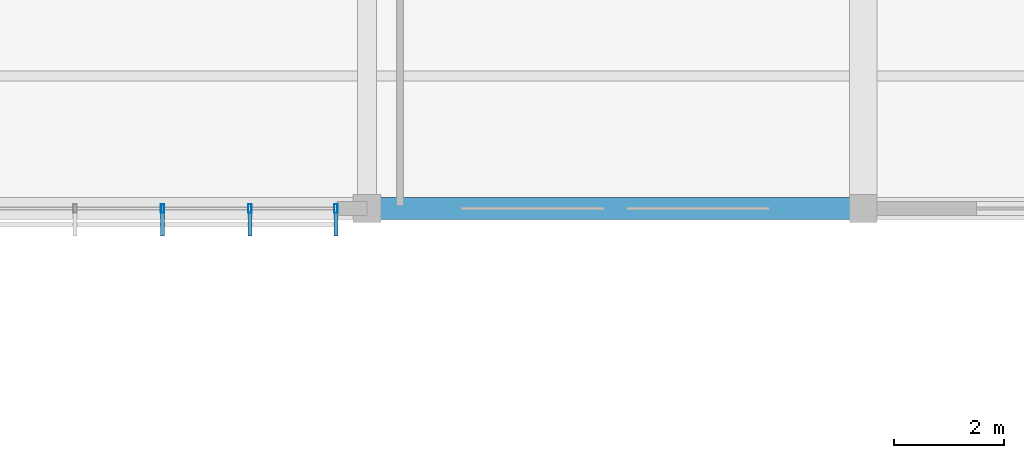
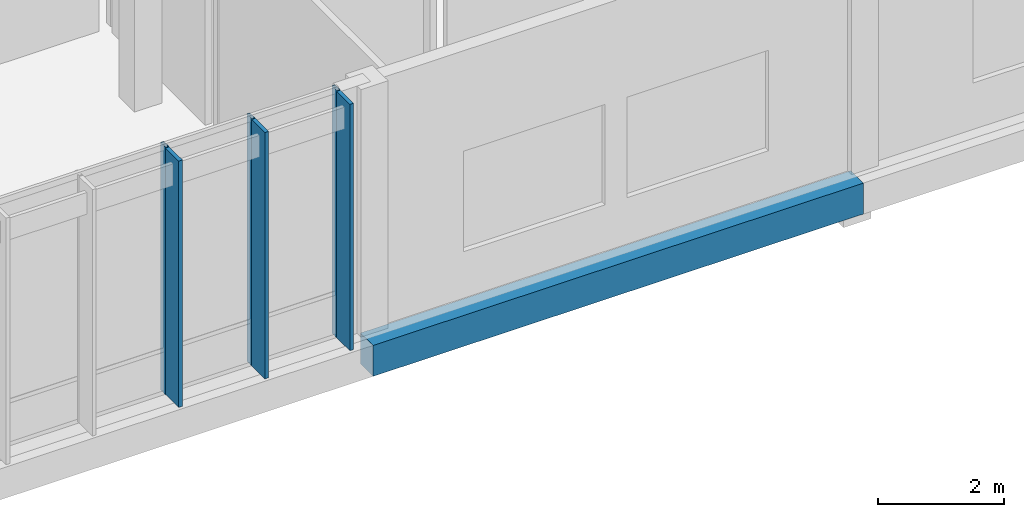
# One storey, part 47 of 177: 6 members, 1 beam, 1 element without a shape of its own.
"""IFC4 building model written with IfcOpenShell, lengths in metres."""

from ifc_helpers import new_model, si_unit, direction, frame, origin, origin_2d, place, context, subcontext, project, spatial, rectangle, hollow_rectangle, extrude, material, material_profile, profile_set, type_object, element, aggregate, save


model = new_model("IFC4")

# Units and contexts
model_context = context("Model", 3, precision=1e-05, world=origin(), true_north=direction((0.0, 1.0)))
body_context = subcontext(model_context, "Body", "Model", "MODEL_VIEW")
ifc_project = project(units=[si_unit("LENGTHUNIT", "METRE"), si_unit("AREAUNIT", "SQUARE_METRE"), si_unit("VOLUMEUNIT", "CUBIC_METRE"), si_unit("PLANEANGLEUNIT", "RADIAN"), si_unit("MASSUNIT", "GRAM", prefix="KILO")], contexts=[model_context])

# Site, building, storey
site_placement = place(None, origin())
site = spatial("IfcSite", under=ifc_project, at=site_placement, CompositionType="ELEMENT")
building_placement = place(site_placement, origin())
building = spatial("IfcBuilding", under=site, at=building_placement, Name="Chiffa Square Polytechnic", CompositionType="ELEMENT")
storey_placement = place(building_placement, frame((0.0, 0.0, 4.800048828125)))
storey = spatial("IfcBuildingStorey", under=building, at=storey_placement, Name="L01", CompositionType="ELEMENT", Elevation=4.800048828125)

# Beam
ifc_material_1 = material(Name="Concrete C35/45", Category="concrete")
ifc_material_profile_1 = material_profile(ifc_material_1, rectangle(XDim=0.39990234375, YDim=0.60009765625, at=origin_2d()), Name="RC 400x600")
ifc_profile_set_1 = profile_set([ifc_material_profile_1], Name="Concrete C35/45")
beam_type = type_object("IfcBeamType", Name="BM-RC-400X600", PredefinedType="BEAM", material=ifc_profile_set_1)
beam_placement = place(storey_placement, frame((84.60009765625, 21.60009765625, -0.580078125), z_axis=(1.0, 0.0, 0.0), x_axis=(0.0, 1.0, 0.0)))
element("IfcBeam", 1, at=beam_placement, inside=storey, type_object=beam_type, Name="Primary floor girder BM-V4-L01-X-0846-0216", PredefinedType="BEAM", context=body_context, shape_type="SweptSolid", body=[
    extrude(rectangle(XDim=0.39990234375, YDim=0.60009765625, at=origin_2d()), origin(), (0.0, 0.0, 1.0), 9.0),
])

# Curtain wall, members
ifc_material_2 = material(Name="Aluminium EN AW-6060 T66 and glulam shading", Category="wood")
curtain_wall_type = type_object("IfcCurtainWallType", Name="CW-VERT-450X440", PredefinedType="USERDEFINED", material=ifc_material_2)
curtain_wall_placement = place(storey_placement, origin())
curtain_wall = element("IfcCurtainWall", 2, at=curtain_wall_placement, inside=storey, type_object=curtain_wall_type, Name="Curtain wall CW-V4-L01-184", ObjectType="CURTAIN WALL", PredefinedType="USERDEFINED")
ifc_material_3 = material(Name="Aluminium EN AW-6060 T66", Category="aluminium")
ifc_material_profile_2 = material_profile(ifc_material_3, hollow_rectangle(XDim=0.06005859375, YDim=0.159912109375, WallThickness=0.00390625, at=origin_2d()), Name="ALU 60x160x4")
ifc_profile_set_2 = profile_set([ifc_material_profile_2], Name="Aluminium EN AW-6060 T66")
member_type_1 = type_object("IfcMemberType", Name="CWM-ALU-65X150", PredefinedType="MULLION", material=ifc_profile_set_2)
member_1_placement = place(storey_placement, frame((80.89208984375, 21.60009765625, 0.0), z_axis=(0.0, 0.0, 1.0), x_axis=(1.0, 0.0, 0.0)))
member_1 = element("IfcMember", 3, at=member_1_placement, type_object=member_type_1, Name="Curtain wall mullion CW-V4-L01-184-M03", PredefinedType="MULLION", context=body_context, shape_type="SweptSolid", body=[
    extrude(hollow_rectangle(XDim=0.06005859375, YDim=0.159912109375, WallThickness=0.00390625, at=origin_2d()), origin(), (0.0, 0.0, 1.0), 4.800048828125),
])
member_2_placement = place(storey_placement, frame((82.47607421875, 21.60009765625, 0.0), z_axis=(0.0, 0.0, 1.0), x_axis=(1.0, 0.0, 0.0)))
member_2 = element("IfcMember", 4, at=member_2_placement, type_object=member_type_1, Name="Curtain wall mullion CW-V4-L01-184-M04", PredefinedType="MULLION", context=body_context, shape_type="SweptSolid", body=[
    extrude(hollow_rectangle(XDim=0.06005859375, YDim=0.159912109375, WallThickness=0.00390625, at=origin_2d()), origin(), (0.0, 0.0, 1.0), 4.800048828125),
])
member_3_placement = place(storey_placement, frame((84.034912109375, 21.60009765625, 0.0), z_axis=(0.0, 0.0, 1.0), x_axis=(1.0, 0.0, 0.0)))
member_3 = element("IfcMember", 5, at=member_3_placement, type_object=member_type_1, Name="Curtain wall mullion CW-V4-L01-184-M05", PredefinedType="MULLION", context=body_context, shape_type="SweptSolid", body=[
    extrude(hollow_rectangle(XDim=0.06005859375, YDim=0.159912109375, WallThickness=0.00390625, at=origin_2d()), origin(), (0.0, 0.0, 1.0), 4.800048828125),
])
ifc_material_4 = material(Name="Glulam GL28h", Category="wood")
ifc_material_profile_3 = material_profile(ifc_material_4, rectangle(XDim=0.070068359375, YDim=0.419921875, at=origin_2d()), Name="GL28h 70x420")
ifc_profile_set_3 = profile_set([ifc_material_profile_3], Name="Glulam GL28h")
member_type_2 = type_object("IfcMemberType", Name="CWM-GL-70X420", PredefinedType="MULLION", material=ifc_profile_set_3)
member_4_placement = place(storey_placement, frame((80.89208984375, 21.30810546875, 0.010009765625), z_axis=(0.0, 0.0, 1.0), x_axis=(1.0, 0.0, 0.0)))
member_4 = element("IfcMember", 6, at=member_4_placement, type_object=member_type_2, Name="Exterior glulam solar fin CW-V4-L01-184-FN03", PredefinedType="MULLION", context=body_context, shape_type="SweptSolid", body=[
    extrude(rectangle(XDim=0.070068359375, YDim=0.419921875, at=origin_2d()), origin(), (0.0, 0.0, 1.0), 4.780029296875),
])
member_5_placement = place(storey_placement, frame((82.47607421875, 21.30810546875, 0.010009765625), z_axis=(0.0, 0.0, 1.0), x_axis=(1.0, 0.0, 0.0)))
member_5 = element("IfcMember", 7, at=member_5_placement, type_object=member_type_2, Name="Exterior glulam solar fin CW-V4-L01-184-FN04", PredefinedType="MULLION", context=body_context, shape_type="SweptSolid", body=[
    extrude(rectangle(XDim=0.070068359375, YDim=0.419921875, at=origin_2d()), origin(), (0.0, 0.0, 1.0), 4.780029296875),
])
member_6_placement = place(storey_placement, frame((84.034912109375, 21.30810546875, 0.010009765625), z_axis=(0.0, 0.0, 1.0), x_axis=(1.0, 0.0, 0.0)))
member_6 = element("IfcMember", 8, at=member_6_placement, type_object=member_type_2, Name="Exterior glulam solar fin CW-V4-L01-184-FN05", PredefinedType="MULLION", context=body_context, shape_type="SweptSolid", body=[
    extrude(rectangle(XDim=0.070068359375, YDim=0.419921875, at=origin_2d()), origin(), (0.0, 0.0, 1.0), 4.780029296875),
])
aggregate(curtain_wall, [member_1, member_4, member_2, member_5, member_3, member_6])

save(model, "model.ifc")
